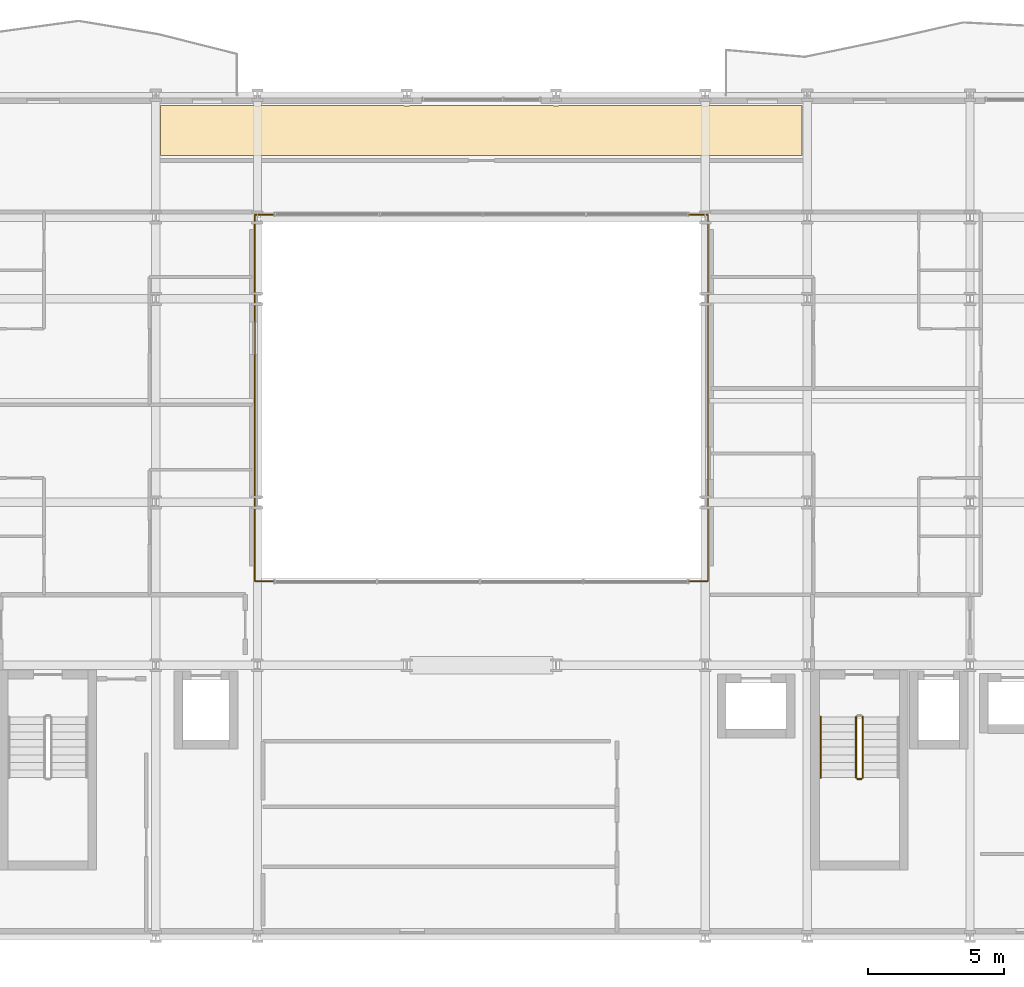
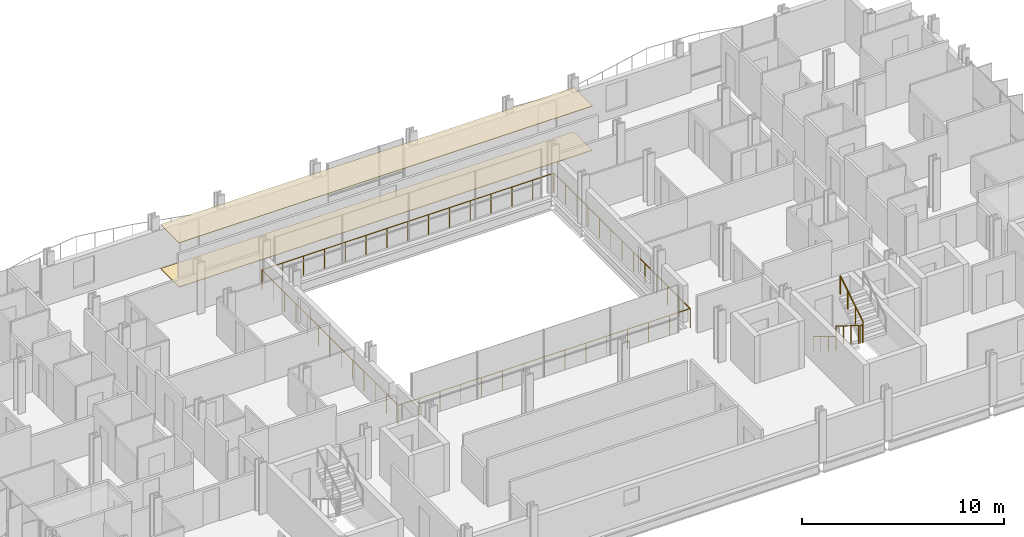
# One storey, part 37 of 39: 6 railings, 2 coverings.
"""IFC4 building model written with IfcOpenShell, lengths in metres."""

from ifc_helpers import new_model, si_unit, direction, frame, origin, origin_2d, place, context, subcontext, project, spatial, polyline, circle, outline, extrude, material, layer, layer_set, type_object, element, save


model = new_model("IFC4")

# Units and contexts
model_context = context("Model", 3, precision=1e-05, world=origin(), true_north=direction((0.0, 1.0)))
body_context = subcontext(model_context, "Body", "Model", "MODEL_VIEW")
ifc_project = project(units=[si_unit("LENGTHUNIT", "METRE"), si_unit("AREAUNIT", "SQUARE_METRE"), si_unit("VOLUMEUNIT", "CUBIC_METRE"), si_unit("PLANEANGLEUNIT", "RADIAN"), si_unit("MASSUNIT", "GRAM", prefix="KILO")], contexts=[model_context])

# Site, building, storey
site_placement = place(None, origin())
site = spatial("IfcSite", under=ifc_project, at=site_placement, CompositionType="ELEMENT")
building_placement = place(site_placement, origin())
building = spatial("IfcBuilding", under=site, at=building_placement, Name="Brevholm Reach", CompositionType="ELEMENT")
storey_placement = place(building_placement, frame((0.0, 0.0, 34.199951171875)))
storey = spatial("IfcBuildingStorey", under=building, at=storey_placement, Name="L08", CompositionType="ELEMENT", Elevation=34.199951171875)

# Coverings
ifc_material_1 = material(Name="Moisture-Resistant Skimmed Gypsum Plasterboard Ceiling", Category="gypsum")
ifc_layer_1 = layer(ifc_material_1, 0.030029296875)
ifc_layer_set_1 = layer_set([ifc_layer_1], Name="Moisture-Resistant Skimmed Gypsum Plasterboard Ceiling")
covering_type_1 = type_object("IfcCoveringType", Name="COV-CLG-GYP", PredefinedType="CEILING", material=ifc_layer_set_1)
covering_1_placement = place(storey_placement, frame((0.0, 0.0, 2.670166015625)))
element("IfcCovering", 1, at=covering_1_placement, inside=storey, type_object=covering_type_1, Name="L08 Suspended Ceiling L08-76", PredefinedType="CEILING", context=body_context, shape_type="SweptSolid", body=[
    extrude(outline(polyline([(18.179931640625, 30.6201171875), (21.626220703125, 30.6201171875), (21.6337890625, 30.6171875), (21.672119140625, 30.607666015625), (21.710693359375, 30.601806640625), (21.75, 30.60009765625), (21.789306640625, 30.601806640625), (21.827880859375, 30.607666015625), (21.8662109375, 30.6171875), (21.873779296875, 30.6201171875), (27.126220703125, 30.6201171875), (27.1337890625, 30.6171875), (27.172119140625, 30.607666015625), (27.210693359375, 30.601806640625), (27.25, 30.60009765625), (27.289306640625, 30.601806640625), (27.327880859375, 30.607666015625), (27.3662109375, 30.6171875), (27.373779296875, 30.6201171875), (32.626220703125, 30.6201171875), (32.6337890625, 30.6171875), (32.672119140625, 30.607666015625), (32.710693359375, 30.601806640625), (32.75, 30.60009765625), (32.789306640625, 30.601806640625), (32.827880859375, 30.607666015625), (32.8662109375, 30.6171875), (32.873779296875, 30.6201171875), (38.126220703125, 30.6201171875), (38.1337890625, 30.6171875), (38.172119140625, 30.607666015625), (38.210693359375, 30.601806640625), (38.25, 30.60009765625), (38.289306640625, 30.601806640625), (38.327880859375, 30.607666015625), (38.3662109375, 30.6171875), (38.373779296875, 30.6201171875), (41.820068359375, 30.6201171875), (41.820068359375, 28.783935546875), (18.179931640625, 28.783935546875), (18.179931640625, 30.6201171875)])), origin(), (0.0, 0.0, 1.0), 0.02978515625),
])
ifc_material_2 = material(Name="Honed Portland-Aggregate Resin Terrazzo Flooring", Category="concrete")
ifc_layer_2 = layer(ifc_material_2, 0.031982421875)
ifc_layer_set_2 = layer_set([ifc_layer_2], Name="Honed Portland-Aggregate Resin Terrazzo Flooring")
covering_type_2 = type_object("IfcCoveringType", Name="COV-FLR-TRZ", PredefinedType="FLOORING", material=ifc_layer_set_2)
covering_2_placement = place(storey_placement, origin())
element("IfcCovering", 2, at=covering_2_placement, inside=storey, type_object=covering_type_2, Name="L08 Floor Finish L08-76", PredefinedType="FLOORING", context=body_context, shape_type="SweptSolid", body=[
    extrude(outline(polyline([(18.179931640625, 30.6201171875), (21.626220703125, 30.6201171875), (21.6337890625, 30.6171875), (21.672119140625, 30.607666015625), (21.710693359375, 30.601806640625), (21.75, 30.60009765625), (21.789306640625, 30.601806640625), (21.827880859375, 30.607666015625), (21.8662109375, 30.6171875), (21.873779296875, 30.6201171875), (27.126220703125, 30.6201171875), (27.1337890625, 30.6171875), (27.172119140625, 30.607666015625), (27.210693359375, 30.601806640625), (27.25, 30.60009765625), (27.289306640625, 30.601806640625), (27.327880859375, 30.607666015625), (27.3662109375, 30.6171875), (27.373779296875, 30.6201171875), (32.626220703125, 30.6201171875), (32.6337890625, 30.6171875), (32.672119140625, 30.607666015625), (32.710693359375, 30.601806640625), (32.75, 30.60009765625), (32.789306640625, 30.601806640625), (32.827880859375, 30.607666015625), (32.8662109375, 30.6171875), (32.873779296875, 30.6201171875), (38.126220703125, 30.6201171875), (38.1337890625, 30.6171875), (38.172119140625, 30.607666015625), (38.210693359375, 30.601806640625), (38.25, 30.60009765625), (38.289306640625, 30.601806640625), (38.327880859375, 30.607666015625), (38.3662109375, 30.6171875), (38.373779296875, 30.6201171875), (41.820068359375, 30.6201171875), (41.820068359375, 28.783935546875), (18.179931640625, 28.783935546875), (18.179931640625, 30.6201171875)])), origin(), (0.0, 0.0, 1.0), 0.031982421875),
])

# Railings
ifc_material_3 = material(Name="Brushed Stainless Steel EN 1.4401 Continuous Handrail", Category="steel")
railing_type_1 = type_object("IfcRailingType", Name="RAL-HND-950", PredefinedType="HANDRAIL", material=ifc_material_3)
railing_1_placement = place(storey_placement, frame((42.5, 8.10009765625, 0.17236328125)))
element("IfcRailing", 3, at=railing_1_placement, inside=storey, type_object=railing_type_1, Name="L08 ST-2 stair handrail 1", PredefinedType="HANDRAIL", context=body_context, shape_type="SweptSolid", body=[
    extrude(circle(Radius=0.02392578125, at=origin_2d()), frame((0.0, 0.0, 0.8857421875), z_axis=(0.0, -0.85178898068, 0.523885037382), x_axis=(1.0, 0.0, 0.0)), (0.0, 0.0, 1.0), 2.629638671875),
    extrude(circle(Radius=0.02099609375, at=origin_2d()), origin(), (0.0, 0.0, 1.0), 0.86181640625),
    extrude(circle(Radius=0.02099609375, at=origin_2d()), frame((0.0, -0.74658203125, 0.459228515625)), (0.0, 0.0, 1.0), 0.86181640625),
    extrude(circle(Radius=0.02099609375, at=origin_2d()), frame((0.0, -1.493408203125, 0.91845703125)), (0.0, 0.0, 1.0), 0.86181640625),
    extrude(circle(Radius=0.02099609375, at=origin_2d()), frame((0.0, -2.239990234375, 1.377685546875)), (0.0, 0.0, 1.0), 0.86181640625),
])
ifc_material_4 = material(Name="Painted Tubular Galvanised Steel S275JR Stair Guard", Category="steel")
railing_type_2 = type_object("IfcRailingType", Name="RAL-STG-1120", PredefinedType="BALUSTRADE", material=ifc_material_4)
railing_2_placement = place(storey_placement, frame((43.800048828125, 8.10009765625, 0.17236328125)))
element("IfcRailing", 4, at=railing_2_placement, inside=storey, type_object=railing_type_2, Name="L08 ST-2 stair guard 1", PredefinedType="BALUSTRADE", context=body_context, shape_type="SweptSolid", body=[
    extrude(circle(Radius=0.02392578125, at=origin_2d()), frame((0.0, 0.0, 1.076171875), z_axis=(0.0, -0.85178898068, 0.523885037382), x_axis=(1.0, 0.0, 0.0)), (0.0, 0.0, 1.0), 2.629638671875),
    extrude(circle(Radius=0.02099609375, at=origin_2d()), origin(), (0.0, 0.0, 1.0), 1.052001953125),
    extrude(circle(Radius=0.02099609375, at=origin_2d()), frame((0.0, -0.74658203125, 0.459228515625)), (0.0, 0.0, 1.0), 1.052001953125),
    extrude(circle(Radius=0.02099609375, at=origin_2d()), frame((0.0, -1.493408203125, 0.91845703125)), (0.0, 0.0, 1.0), 1.052001953125),
    extrude(circle(Radius=0.02099609375, at=origin_2d()), frame((0.0, -2.239990234375, 1.377685546875)), (0.0, 0.0, 1.0), 1.052001953125),
])
railing_3_placement = place(storey_placement, frame((43.85009765625, 5.81005859375, 1.550048828125)))
element("IfcRailing", 5, at=railing_3_placement, inside=storey, type_object=railing_type_2, Name="L08 ST-2 stair guard 2", PredefinedType="BALUSTRADE", context=body_context, shape_type="SweptSolid", body=[
    extrude(circle(Radius=0.02392578125, at=origin_2d()), frame((0.0, 0.0, 1.076171875), z_axis=(1.0, 0.0, 0.0), x_axis=(0.0, 1.0, 0.0)), (0.0, 0.0, 1.0), 0.14990234375),
    extrude(circle(Radius=0.02099609375, at=origin_2d()), origin(), (0.0, 0.0, 1.0), 1.052001953125),
    extrude(circle(Radius=0.02099609375, at=origin_2d()), frame((0.14990234375, 0.0, 0.0)), (0.0, 0.0, 1.0), 1.052001953125),
])
railing_4_placement = place(storey_placement, frame((44.050048828125, 5.860107421875, 1.72216796875)))
element("IfcRailing", 6, at=railing_4_placement, inside=storey, type_object=railing_type_2, Name="L08 ST-2 stair guard 3", PredefinedType="BALUSTRADE", context=body_context, shape_type="SweptSolid", body=[
    extrude(circle(Radius=0.02392578125, at=origin_2d()), frame((0.0, 0.0, 1.076171875), z_axis=(0.0, 0.851747552033, 0.523952390591), x_axis=(-1.0, 0.0, 0.0)), (0.0, 0.0, 1.0), 2.6298828125),
    extrude(circle(Radius=0.02099609375, at=origin_2d()), origin(), (0.0, 0.0, 1.0), 1.052001953125),
    extrude(circle(Radius=0.02099609375, at=origin_2d()), frame((0.0, 0.74658203125, 0.459228515625)), (0.0, 0.0, 1.0), 1.052001953125),
    extrude(circle(Radius=0.02099609375, at=origin_2d()), frame((0.0, 1.493408203125, 0.918701171875)), (0.0, 0.0, 1.0), 1.052001953125),
    extrude(circle(Radius=0.02099609375, at=origin_2d()), frame((0.0, 2.239990234375, 1.3779296875)), (0.0, 0.0, 1.0), 1.052001953125),
])
ifc_material_5 = material(Name="Brushed Stainless Steel EN 1.4401 and Laminated Glass", Category="steel")
railing_type_3 = type_object("IfcRailingType", Name="RAL-TERR-1200", PredefinedType="BALUSTRADE", material=ifc_material_5)
railing_5_placement = place(storey_placement, frame((21.64990234375, 13.10009765625, 0.0)))
element("IfcRailing", 7, at=railing_5_placement, inside=storey, type_object=railing_type_3, Name="L08 Guard Balustrade RAL-L08-AT-VOID-SW", PredefinedType="BALUSTRADE", context=body_context, shape_type="SweptSolid", body=[
    extrude(circle(Radius=0.02392578125, at=origin_2d()), frame((0.0, 0.0, 1.17578125), z_axis=(1.0, 0.0, 0.0), x_axis=(0.0, 1.0, 0.0)), (0.0, 0.0, 1.0), 16.7001953125),
    extrude(circle(Radius=0.02392578125, at=origin_2d()), frame((16.7001953125, 0.0, 1.17578125), z_axis=(0.0, 1.0, 0.0), x_axis=(-1.0, 0.0, 0.0)), (0.0, 0.0, 1.0), 13.47998046875),
    extrude(circle(Radius=0.02099609375, at=origin_2d()), origin(), (0.0, 0.0, 1.0), 1.15185546875),
    extrude(circle(Radius=0.02099609375, at=origin_2d()), frame((1.19287109375, 0.0, 0.0)), (0.0, 0.0, 1.0), 1.15185546875),
    extrude(circle(Radius=0.02099609375, at=origin_2d()), frame((2.3857421875, 0.0, 0.0)), (0.0, 0.0, 1.0), 1.15185546875),
    extrude(circle(Radius=0.02099609375, at=origin_2d()), frame((3.57861328125, 0.0, 0.0)), (0.0, 0.0, 1.0), 1.15185546875),
    extrude(circle(Radius=0.02099609375, at=origin_2d()), frame((4.771484375, 0.0, 0.0)), (0.0, 0.0, 1.0), 1.15185546875),
    extrude(circle(Radius=0.02099609375, at=origin_2d()), frame((5.96435546875, 0.0, 0.0)), (0.0, 0.0, 1.0), 1.15185546875),
    extrude(circle(Radius=0.02099609375, at=origin_2d()), frame((7.1572265625, 0.0, 0.0)), (0.0, 0.0, 1.0), 1.15185546875),
    extrude(circle(Radius=0.02099609375, at=origin_2d()), frame((8.35009765625, 0.0, 0.0)), (0.0, 0.0, 1.0), 1.15185546875),
    extrude(circle(Radius=0.02099609375, at=origin_2d()), frame((9.54296875, 0.0, 0.0)), (0.0, 0.0, 1.0), 1.15185546875),
    extrude(circle(Radius=0.02099609375, at=origin_2d()), frame((10.73583984375, 0.0, 0.0)), (0.0, 0.0, 1.0), 1.15185546875),
    extrude(circle(Radius=0.02099609375, at=origin_2d()), frame((11.9287109375, 0.0, 0.0)), (0.0, 0.0, 1.0), 1.15185546875),
    extrude(circle(Radius=0.02099609375, at=origin_2d()), frame((13.12158203125, 0.0, 0.0)), (0.0, 0.0, 1.0), 1.15185546875),
    extrude(circle(Radius=0.02099609375, at=origin_2d()), frame((14.314453125, 0.0, 0.0)), (0.0, 0.0, 1.0), 1.15185546875),
    extrude(circle(Radius=0.02099609375, at=origin_2d()), frame((15.50732421875, 0.0, 0.0)), (0.0, 0.0, 1.0), 1.15185546875),
    extrude(circle(Radius=0.02099609375, at=origin_2d()), frame((16.7001953125, 0.0, 0.0)), (0.0, 0.0, 1.0), 1.15185546875),
    extrude(circle(Radius=0.02099609375, at=origin_2d()), frame((16.7001953125, 1.123291015625, 0.0)), (0.0, 0.0, 1.0), 1.15185546875),
    extrude(circle(Radius=0.02099609375, at=origin_2d()), frame((16.7001953125, 2.24658203125, 0.0)), (0.0, 0.0, 1.0), 1.15185546875),
    extrude(circle(Radius=0.02099609375, at=origin_2d()), frame((16.7001953125, 3.3701171875, 0.0)), (0.0, 0.0, 1.0), 1.15185546875),
    extrude(circle(Radius=0.02099609375, at=origin_2d()), frame((16.7001953125, 4.493408203125, 0.0)), (0.0, 0.0, 1.0), 1.15185546875),
    extrude(circle(Radius=0.02099609375, at=origin_2d()), frame((16.7001953125, 5.61669921875, 0.0)), (0.0, 0.0, 1.0), 1.15185546875),
    extrude(circle(Radius=0.02099609375, at=origin_2d()), frame((16.7001953125, 6.739990234375, 0.0)), (0.0, 0.0, 1.0), 1.15185546875),
    extrude(circle(Radius=0.02099609375, at=origin_2d()), frame((16.7001953125, 7.86328125, 0.0)), (0.0, 0.0, 1.0), 1.15185546875),
    extrude(circle(Radius=0.02099609375, at=origin_2d()), frame((16.7001953125, 8.986572265625, 0.0)), (0.0, 0.0, 1.0), 1.15185546875),
    extrude(circle(Radius=0.02099609375, at=origin_2d()), frame((16.7001953125, 10.10986328125, 0.0)), (0.0, 0.0, 1.0), 1.15185546875),
    extrude(circle(Radius=0.02099609375, at=origin_2d()), frame((16.7001953125, 11.2333984375, 0.0)), (0.0, 0.0, 1.0), 1.15185546875),
    extrude(circle(Radius=0.02099609375, at=origin_2d()), frame((16.7001953125, 12.356689453125, 0.0)), (0.0, 0.0, 1.0), 1.15185546875),
    extrude(circle(Radius=0.02099609375, at=origin_2d()), frame((16.7001953125, 13.47998046875, 0.0)), (0.0, 0.0, 1.0), 1.15185546875),
])
railing_6_placement = place(storey_placement, frame((38.330078125, 26.60009765625, 0.0)))
element("IfcRailing", 8, at=railing_6_placement, inside=storey, type_object=railing_type_3, Name="L08 Guard Balustrade RAL-L08-AT-VOID-NE", PredefinedType="BALUSTRADE", context=body_context, shape_type="SweptSolid", body=[
    extrude(circle(Radius=0.02392578125, at=origin_2d()), frame((0.0, 0.0, 1.17578125), z_axis=(-1.0, 0.0, 0.0), x_axis=(0.0, -1.0, 0.0)), (0.0, 0.0, 1.0), 16.68017578125),
    extrude(circle(Radius=0.02392578125, at=origin_2d()), frame((-16.68017578125, 0.0, 1.17578125), z_axis=(0.0, -1.0, 0.0), x_axis=(1.0, 0.0, 0.0)), (0.0, 0.0, 1.0), 13.47998046875),
    extrude(circle(Radius=0.02099609375, at=origin_2d()), origin(), (0.0, 0.0, 1.0), 1.15185546875),
    extrude(circle(Radius=0.02099609375, at=origin_2d()), frame((-1.19140625, 0.0, 0.0)), (0.0, 0.0, 1.0), 1.15185546875),
    extrude(circle(Radius=0.02099609375, at=origin_2d()), frame((-2.3828125, 0.0, 0.0)), (0.0, 0.0, 1.0), 1.15185546875),
    extrude(circle(Radius=0.02099609375, at=origin_2d()), frame((-3.57421875, 0.0, 0.0)), (0.0, 0.0, 1.0), 1.15185546875),
    extrude(circle(Radius=0.02099609375, at=origin_2d()), frame((-4.765869140625, 0.0, 0.0)), (0.0, 0.0, 1.0), 1.15185546875),
    extrude(circle(Radius=0.02099609375, at=origin_2d()), frame((-5.957275390625, 0.0, 0.0)), (0.0, 0.0, 1.0), 1.15185546875),
    extrude(circle(Radius=0.02099609375, at=origin_2d()), frame((-7.148681640625, 0.0, 0.0)), (0.0, 0.0, 1.0), 1.15185546875),
    extrude(circle(Radius=0.02099609375, at=origin_2d()), frame((-8.340087890625, 0.0, 0.0)), (0.0, 0.0, 1.0), 1.15185546875),
    extrude(circle(Radius=0.02099609375, at=origin_2d()), frame((-9.531494140625, 0.0, 0.0)), (0.0, 0.0, 1.0), 1.15185546875),
    extrude(circle(Radius=0.02099609375, at=origin_2d()), frame((-10.722900390625, 0.0, 0.0)), (0.0, 0.0, 1.0), 1.15185546875),
    extrude(circle(Radius=0.02099609375, at=origin_2d()), frame((-11.914306640625, 0.0, 0.0)), (0.0, 0.0, 1.0), 1.15185546875),
    extrude(circle(Radius=0.02099609375, at=origin_2d()), frame((-13.10595703125, 0.0, 0.0)), (0.0, 0.0, 1.0), 1.15185546875),
    extrude(circle(Radius=0.02099609375, at=origin_2d()), frame((-14.29736328125, 0.0, 0.0)), (0.0, 0.0, 1.0), 1.15185546875),
    extrude(circle(Radius=0.02099609375, at=origin_2d()), frame((-15.48876953125, 0.0, 0.0)), (0.0, 0.0, 1.0), 1.15185546875),
    extrude(circle(Radius=0.02099609375, at=origin_2d()), frame((-16.68017578125, 0.0, 0.0)), (0.0, 0.0, 1.0), 1.15185546875),
    extrude(circle(Radius=0.02099609375, at=origin_2d()), frame((-16.68017578125, -1.123291015625, 0.0)), (0.0, 0.0, 1.0), 1.15185546875),
    extrude(circle(Radius=0.02099609375, at=origin_2d()), frame((-16.68017578125, -2.24658203125, 0.0)), (0.0, 0.0, 1.0), 1.15185546875),
    extrude(circle(Radius=0.02099609375, at=origin_2d()), frame((-16.68017578125, -3.3701171875, 0.0)), (0.0, 0.0, 1.0), 1.15185546875),
    extrude(circle(Radius=0.02099609375, at=origin_2d()), frame((-16.68017578125, -4.493408203125, 0.0)), (0.0, 0.0, 1.0), 1.15185546875),
    extrude(circle(Radius=0.02099609375, at=origin_2d()), frame((-16.68017578125, -5.61669921875, 0.0)), (0.0, 0.0, 1.0), 1.15185546875),
    extrude(circle(Radius=0.02099609375, at=origin_2d()), frame((-16.68017578125, -6.739990234375, 0.0)), (0.0, 0.0, 1.0), 1.15185546875),
    extrude(circle(Radius=0.02099609375, at=origin_2d()), frame((-16.68017578125, -7.86328125, 0.0)), (0.0, 0.0, 1.0), 1.15185546875),
    extrude(circle(Radius=0.02099609375, at=origin_2d()), frame((-16.68017578125, -8.986572265625, 0.0)), (0.0, 0.0, 1.0), 1.15185546875),
    extrude(circle(Radius=0.02099609375, at=origin_2d()), frame((-16.68017578125, -10.10986328125, 0.0)), (0.0, 0.0, 1.0), 1.15185546875),
    extrude(circle(Radius=0.02099609375, at=origin_2d()), frame((-16.68017578125, -11.2333984375, 0.0)), (0.0, 0.0, 1.0), 1.15185546875),
    extrude(circle(Radius=0.02099609375, at=origin_2d()), frame((-16.68017578125, -12.356689453125, 0.0)), (0.0, 0.0, 1.0), 1.15185546875),
    extrude(circle(Radius=0.02099609375, at=origin_2d()), frame((-16.68017578125, -13.47998046875, 0.0)), (0.0, 0.0, 1.0), 1.15185546875),
])

save(model, "model.ifc")
